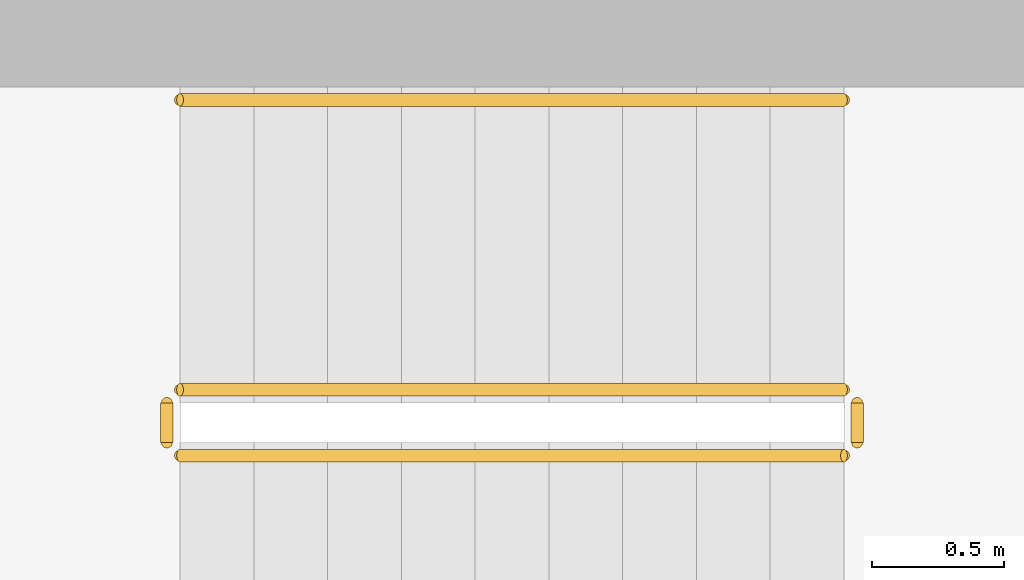
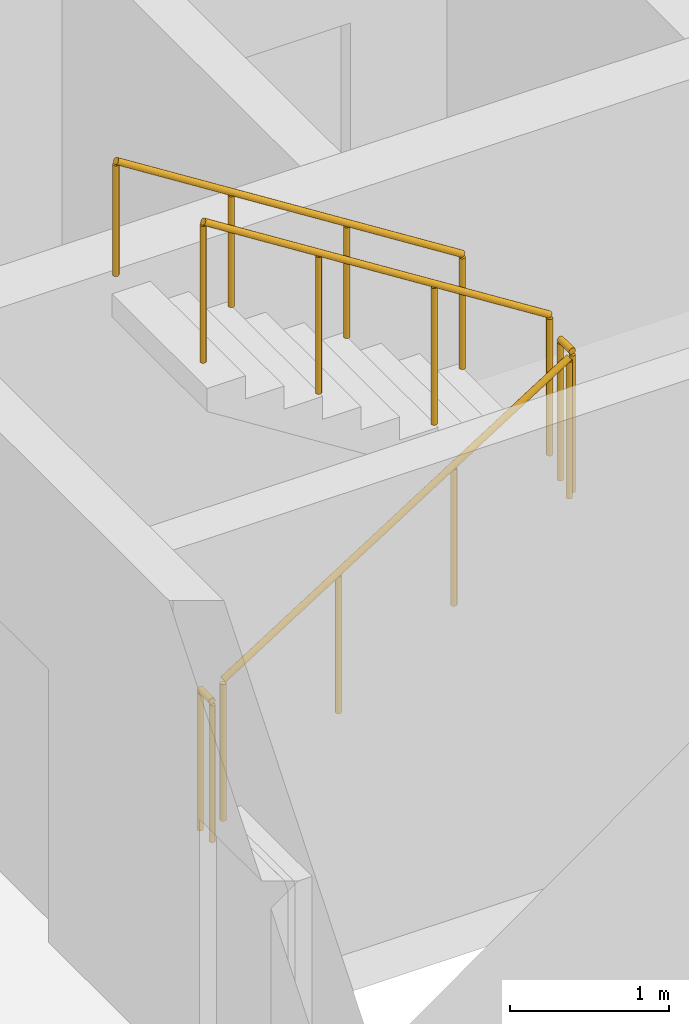
# One storey, part 14 of 16: 5 railings.
"""IFC4 building model written with IfcOpenShell, lengths in metres."""

from ifc_helpers import new_model, si_unit, direction, frame, origin, origin_2d, place, context, subcontext, project, spatial, circle, extrude, material, type_object, element, save


model = new_model("IFC4")

# Units and contexts
model_context = context("Model", 3, precision=1e-05, world=origin(), true_north=direction((0.0, 1.0)))
body_context = subcontext(model_context, "Body", "Model", "MODEL_VIEW")
ifc_project = project(units=[si_unit("LENGTHUNIT", "METRE"), si_unit("AREAUNIT", "SQUARE_METRE"), si_unit("VOLUMEUNIT", "CUBIC_METRE"), si_unit("PLANEANGLEUNIT", "RADIAN"), si_unit("MASSUNIT", "GRAM", prefix="KILO")], contexts=[model_context])

# Site, building, storey
site_placement = place(None, origin())
site = spatial("IfcSite", under=ifc_project, at=site_placement, CompositionType="ELEMENT")
building_placement = place(site_placement, origin())
building = spatial("IfcBuilding", under=site, at=building_placement, Name="Ostrand Prow Hotel Tower", CompositionType="ELEMENT")
storey_placement = place(building_placement, frame((0.0, 0.0, 189.699951171875)))
storey = spatial("IfcBuildingStorey", under=building, at=storey_placement, Name="L47", CompositionType="ELEMENT", Elevation=189.699951171875)

# Railings
ifc_material_1 = material(Name="Painted steel", Category="steel")
railing_type_1 = type_object("IfcRailingType", Name="Stair guard 1100", PredefinedType="GUARDRAIL", material=ifc_material_1)
railing_1_placement = place(storey_placement, frame((57.199951171875, -11.75, 0.177490234375)))
element("IfcRailing", 1, at=railing_1_placement, inside=storey, type_object=railing_type_1, Name="L47 ST2C stair guard 1", PredefinedType="GUARDRAIL", context=body_context, shape_type="SweptSolid", body=[
    extrude(circle(Radius=0.02392578125, at=origin_2d()), frame((0.0, 0.0, 1.076171875), z_axis=(0.84456994832, 0.0, 0.535445237532), x_axis=(0.0, 1.0, 0.0)), (0.0, 0.0, 1.0), 2.98388671875),
    extrude(circle(Radius=0.02099609375, at=origin_2d()), origin(), (0.0, 0.0, 1.0), 1.052001953125),
    extrude(circle(Radius=0.02099609375, at=origin_2d()), frame((0.840087890625, 0.0, 0.532470703125)), (0.0, 0.0, 1.0), 1.052001953125),
    extrude(circle(Radius=0.02099609375, at=origin_2d()), frame((1.679931640625, 0.0, 1.065185546875)), (0.0, 0.0, 1.0), 1.052001953125),
    extrude(circle(Radius=0.02099609375, at=origin_2d()), frame((2.52001953125, 0.0, 1.59765625)), (0.0, 0.0, 1.0), 1.052001953125),
])
railing_2_placement = place(storey_placement, frame((59.77001953125, -11.699951171875, 1.775146484375)))
element("IfcRailing", 2, at=railing_2_placement, inside=storey, type_object=railing_type_1, Name="L47 ST2C stair guard 2", PredefinedType="GUARDRAIL", context=body_context, shape_type="SweptSolid", body=[
    extrude(circle(Radius=0.02392578125, at=origin_2d()), frame((0.0, 0.0, 1.076171875), z_axis=(0.0, 1.0, 0.0), x_axis=(-1.0, 0.0, 0.0)), (0.0, 0.0, 1.0), 0.14990234375),
    extrude(circle(Radius=0.02099609375, at=origin_2d()), origin(), (0.0, 0.0, 1.0), 1.052001953125),
    extrude(circle(Radius=0.02099609375, at=origin_2d()), frame((0.0, 0.14990234375, 0.0)), (0.0, 0.0, 1.0), 1.052001953125),
])
railing_3_placement = place(storey_placement, frame((59.719970703125, -11.5, 1.95263671875)))
element("IfcRailing", 3, at=railing_3_placement, inside=storey, type_object=railing_type_1, Name="L47 ST2C stair guard 3", PredefinedType="GUARDRAIL", context=body_context, shape_type="SweptSolid", body=[
    extrude(circle(Radius=0.02392578125, at=origin_2d()), frame((0.0, 0.0, 1.076171875), z_axis=(-0.84460694969, 0.0, 0.535386869969), x_axis=(0.0, -1.0, 0.0)), (0.0, 0.0, 1.0), 2.983642578125),
    extrude(circle(Radius=0.02099609375, at=origin_2d()), origin(), (0.0, 0.0, 1.0), 1.052001953125),
    extrude(circle(Radius=0.02099609375, at=origin_2d()), frame((-0.840087890625, 0.0, 0.532470703125)), (0.0, 0.0, 1.0), 1.052001953125),
    extrude(circle(Radius=0.02099609375, at=origin_2d()), frame((-1.679931640625, 0.0, 1.06494140625)), (0.0, 0.0, 1.0), 1.052001953125),
    extrude(circle(Radius=0.02099609375, at=origin_2d()), frame((-2.52001953125, 0.0, 1.597412109375)), (0.0, 0.0, 1.0), 1.052001953125),
])
railing_4_placement = place(storey_placement, frame((57.14990234375, -11.699951171875, 0.0)))
element("IfcRailing", 4, at=railing_4_placement, inside=storey, type_object=railing_type_1, Name="L47 ST2C stair guard 4", PredefinedType="GUARDRAIL", context=body_context, shape_type="SweptSolid", body=[
    extrude(circle(Radius=0.02392578125, at=origin_2d()), frame((0.0, 0.0, 1.076171875), z_axis=(0.0, 1.0, 0.0), x_axis=(-1.0, 0.0, 0.0)), (0.0, 0.0, 1.0), 0.14990234375),
    extrude(circle(Radius=0.02099609375, at=origin_2d()), origin(), (0.0, 0.0, 1.0), 1.052001953125),
    extrude(circle(Radius=0.02099609375, at=origin_2d()), frame((0.0, 0.14990234375, 0.0)), (0.0, 0.0, 1.0), 1.052001953125),
])
ifc_material_2 = material(Name="Stainless steel", Category="steel")
railing_type_2 = type_object("IfcRailingType", Name="Stair handrail 900", PredefinedType="HANDRAIL", material=ifc_material_2)
railing_5_placement = place(storey_placement, frame((59.719970703125, -10.39990234375, 1.95263671875)))
element("IfcRailing", 5, at=railing_5_placement, inside=storey, type_object=railing_type_2, Name="L47 ST2C stair handrail 2", PredefinedType="HANDRAIL", context=body_context, shape_type="SweptSolid", body=[
    extrude(circle(Radius=0.02392578125, at=origin_2d()), frame((0.0, 0.0, 0.8759765625), z_axis=(-0.84460694969, 0.0, 0.535386869969), x_axis=(0.0, -1.0, 0.0)), (0.0, 0.0, 1.0), 2.983642578125),
    extrude(circle(Radius=0.02099609375, at=origin_2d()), origin(), (0.0, 0.0, 1.0), 0.851806640625),
    extrude(circle(Radius=0.02099609375, at=origin_2d()), frame((-0.840087890625, 0.0, 0.532470703125)), (0.0, 0.0, 1.0), 0.851806640625),
    extrude(circle(Radius=0.02099609375, at=origin_2d()), frame((-1.679931640625, 0.0, 1.06494140625)), (0.0, 0.0, 1.0), 0.851806640625),
    extrude(circle(Radius=0.02099609375, at=origin_2d()), frame((-2.52001953125, 0.0, 1.597412109375)), (0.0, 0.0, 1.0), 0.851806640625),
])

save(model, "model.ifc")
